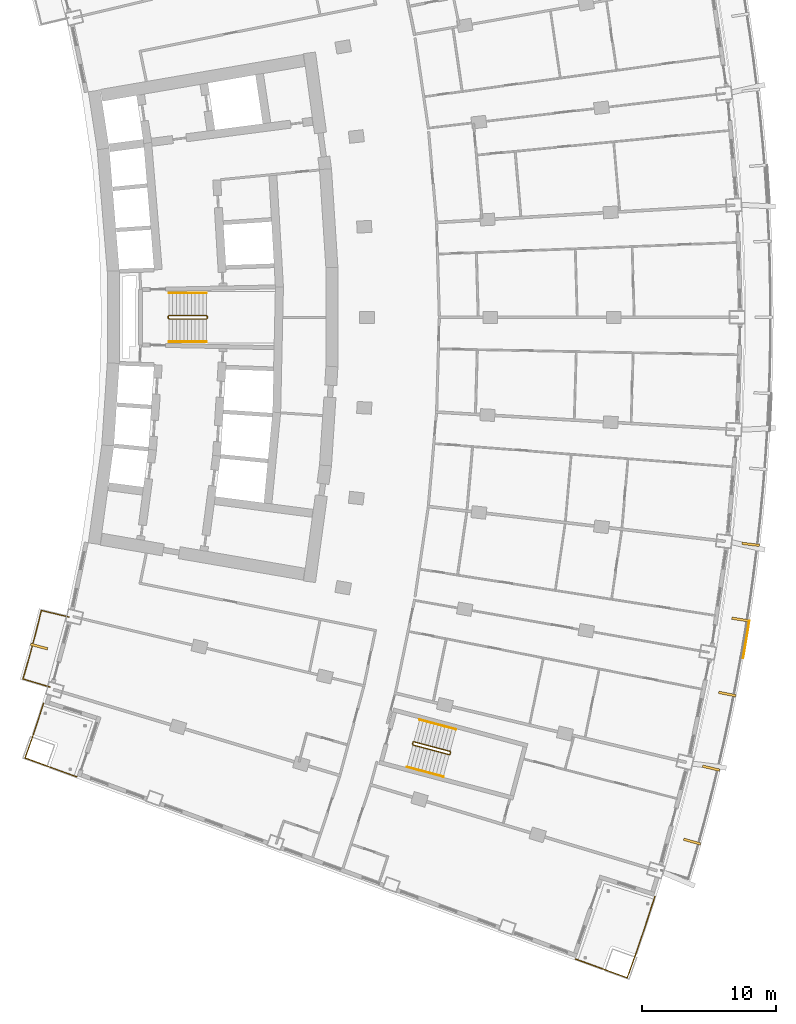
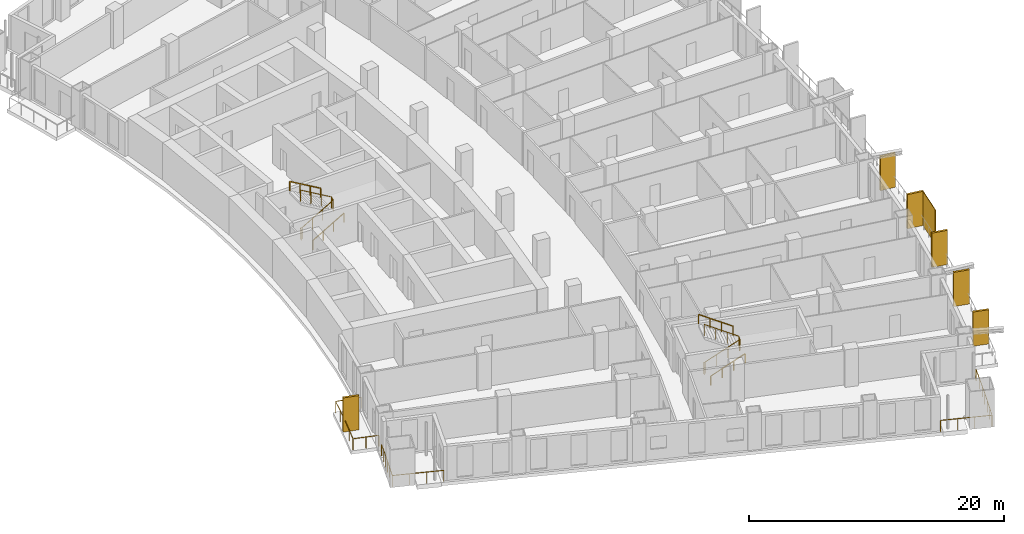
# One storey, part 23 of 25: 9 railings, 7 shading devices.
"""IFC4 building model written with IfcOpenShell, lengths in metres."""

import ifcopenshell
import ifcopenshell.guid

model = None  # the IFC model being written
_history = None  # IfcOwnerHistory: only IFC2X3 demands one
_inside = {}  # id of a spatial element -> (the spatial element, [elements in it])
_under = {}  # id of a project, library or spatial element -> (it, [spatial elements below it])
_declared = {}  # id of a project -> (the project, [libraries it declares])
_typed = {}  # id of a type object -> (the type object, [elements of that type])
_made_of = {}  # id of a material, layer set ... -> (it, [elements and type objects made of it])


def new_model(schema):
    """Start an empty IFC model of exactly this schema.

    Asked for "IFC4X3", IfcOpenShell would pick the latest addendum, in which some entities
    have other attributes; the version numbers below select the first issue.
    IFC2X3 requires an IfcOwnerHistory on every rooted entity: one is made here for all.
    """
    global model, _history
    if schema == "IFC4X3":
        model = ifcopenshell.file(schema_version=(4, 3, 0, 0))
    else:
        model = ifcopenshell.file(schema=schema)
    _inside.clear()
    _under.clear()
    _declared.clear()
    _typed.clear()
    _made_of.clear()
    _history = None
    if model.schema == "IFC2X3":
        org = make("IfcOrganization", Name="unknown")
        user = make(
            "IfcPersonAndOrganization",
            ThePerson=make("IfcPerson", FamilyName="unknown"),
            TheOrganization=org,
        )
        app = make(
            "IfcApplication",
            ApplicationDeveloper=org,
            Version="unknown",
            ApplicationFullName="unknown",
            ApplicationIdentifier="unknown",
        )
        _history = make(
            "IfcOwnerHistory",
            OwningUser=user,
            OwningApplication=app,
            ChangeAction="ADDED",
            CreationDate=0,
        )
    return model


def make(cls, **values):
    """One entity of the class cls with the attributes given. An attribute that is None is left unset."""
    return model.create_entity(
        cls, **{name: value for name, value in values.items() if value is not None}
    )


def rooted(cls, **values):
    """An entity with a GlobalId (a new one), such as an element, a storey or a relation."""
    return make(cls, GlobalId=ifcopenshell.guid.new(), OwnerHistory=_history, **values)


def si_unit(unit_type, name, prefix=None):
    """IfcSIUnit, for example si_unit("LENGTHUNIT", "METRE", prefix="MILLI")."""
    return make("IfcSIUnit", UnitType=unit_type, Prefix=prefix, Name=name)


def assignment(units):
    """IfcUnitAssignment: the units of a project."""
    return None if units is None else make("IfcUnitAssignment", Units=units)


def point(xyz):
    """IfcCartesianPoint."""
    return None if xyz is None else make("IfcCartesianPoint", Coordinates=xyz)


def direction(xyz):
    """IfcDirection."""
    return None if xyz is None else make("IfcDirection", DirectionRatios=xyz)


def frame(location, z_axis=None, x_axis=None):
    """IfcAxis2Placement3D, a coordinate frame: its origin and axes. An axis left out is left unset."""
    return make(
        "IfcAxis2Placement3D",
        Location=point(location),
        Axis=direction(z_axis),
        RefDirection=direction(x_axis),
    )


def frame_2d(location, x_axis=None):
    """IfcAxis2Placement2D, a coordinate frame in the plane: its origin and x axis."""
    return make(
        "IfcAxis2Placement2D", Location=point(location), RefDirection=direction(x_axis)
    )


def origin():
    """The frame at (0, 0, 0) with its axes left unset."""
    return frame((0.0, 0.0, 0.0))


def origin_with_axes():
    """The frame at (0, 0, 0) with the z axis (0, 0, 1) and the x axis (1, 0, 0) written out."""
    return frame((0.0, 0.0, 0.0), z_axis=(0.0, 0.0, 1.0), x_axis=(1.0, 0.0, 0.0))


def origin_2d():
    """The frame at (0, 0) in the plane with its x axis left unset."""
    return frame_2d((0.0, 0.0))


def place(relative_to, where):
    """IfcLocalPlacement: puts the frame where relative to a parent placement (None: the world)."""
    return make(
        "IfcLocalPlacement", PlacementRelTo=relative_to, RelativePlacement=where
    )


def context(
    kind, dimensions, precision=None, world=None, true_north=None, identifier=None
):
    """IfcGeometricRepresentationContext, for example the 3D "Model" context."""
    return make(
        "IfcGeometricRepresentationContext",
        ContextIdentifier=identifier,
        ContextType=kind,
        CoordinateSpaceDimension=dimensions,
        Precision=precision,
        WorldCoordinateSystem=world,
        TrueNorth=true_north,
    )


def subcontext(parent, identifier, kind, view, scale=None):
    """IfcGeometricRepresentationSubContext, for example "Body" below "Model"."""
    return make(
        "IfcGeometricRepresentationSubContext",
        ContextIdentifier=identifier,
        ContextType=kind,
        ParentContext=parent,
        TargetScale=scale,
        TargetView=view,
    )


def project(units=None, contexts=None):
    """IfcProject with its units and contexts."""
    return rooted(
        "IfcProject",
        Name="project",
        RepresentationContexts=contexts,
        UnitsInContext=assignment(units),
    )


def spatial(cls, under=None, at=None, **own):
    """A site, building, storey or space (cls), placed at a placement, below another one or the project."""
    s = rooted(cls, ObjectPlacement=at, **own)
    if under is not None:
        _under.setdefault(under.id(), (under, []))[1].append(s)
    return s


def profile(cls, at=None, kind="AREA", **sizes):
    """A parametric profile (cls). Its sizes go by their IFC names, for example OverallWidth=200.0."""
    return make(cls, ProfileType=kind, Position=at, **sizes)


def rectangle(**sizes):
    """IfcRectangleProfileDef."""
    return profile("IfcRectangleProfileDef", **sizes)


def extrude(swept, where, along, depth):
    """IfcExtrudedAreaSolid: the profile swept, set in the frame where, extruded along a direction by depth."""
    return make(
        "IfcExtrudedAreaSolid",
        SweptArea=swept,
        Position=where,
        ExtrudedDirection=direction(along),
        Depth=depth,
    )


def shape(context_of_items, identifier, shape_type, items):
    """IfcShapeRepresentation: the items that make up one representation, for example the "Body"."""
    return make(
        "IfcShapeRepresentation",
        ContextOfItems=context_of_items,
        RepresentationIdentifier=identifier,
        RepresentationType=shape_type,
        Items=items,
    )


def material(Name=None, Category=None):
    """IfcMaterial."""
    return make("IfcMaterial", Name=Name, Category=Category)


def layer(
    of_material, thickness, ventilated=None, Name=None, Category=None, Priority=None
):
    """IfcMaterialLayer: one layer of a wall or slab, of a material (None: an air gap)."""
    return make(
        "IfcMaterialLayer",
        Material=of_material,
        LayerThickness=thickness,
        IsVentilated=ventilated,
        Name=Name,
        Category=Category,
        Priority=Priority,
    )


def layer_set(layers, Name=None):
    """IfcMaterialLayerSet."""
    return make("IfcMaterialLayerSet", MaterialLayers=layers, LayerSetName=Name)


def made_of(thing, what):
    """Note that an element or type object is made of a material, layer set ...; save() writes the relation."""
    if what is not None:
        _made_of.setdefault(what.id(), (what, []))[1].append(thing)
    return thing


def type_object(cls, material=None, **own):
    """A type object (cls), such as IfcWallType, which elements share."""
    return made_of(rooted(cls, **own), material)


def element(
    cls,
    number,
    at=None,
    inside=None,
    cuts=None,
    type_object=None,
    material=None,
    context=None,
    identifier="Body",
    shape_type=None,
    held_by="IfcProductDefinitionShape",
    body=None,
    shapes=None,
    **own,
):
    """One element of the class cls, such as IfcWall. Its Tag is "e" and its number.

    at: its placement. inside: the storey or other place that contains it. cuts: it is an
    opening in that element (IfcRelVoidsElement). A single representation is given by context,
    identifier, shape_type and body (its items); several are given by shapes. held_by: the class
    of the entity that holds the representations. save() writes the other relations.
    """
    e = rooted(cls, Tag="e%d" % number, ObjectPlacement=at, **own)
    if body is not None:
        shapes = [shape(context, identifier, shape_type, body)]
    if shapes is not None:
        e.Representation = make(held_by, Representations=shapes)
    if inside is not None:
        _inside.setdefault(inside.id(), (inside, []))[1].append(e)
    if cuts is not None:
        rooted(
            "IfcRelVoidsElement", RelatingBuildingElement=cuts, RelatedOpeningElement=e
        )
    if type_object is not None:
        _typed.setdefault(type_object.id(), (type_object, []))[1].append(e)
    return made_of(e, material)


def aggregate(whole, parts):
    """IfcRelAggregates: a whole, such as a stair, and the parts it consists of."""
    return rooted("IfcRelAggregates", RelatingObject=whole, RelatedObjects=parts)


def save(model, path):
    """Write the relations noted so far, then the file.

    IfcRelAggregates (storeys below a building ...), IfcRelContainedInSpatialStructure (elements
    in a storey), IfcRelDefinesByType, IfcRelAssociatesMaterial and IfcRelDeclares: one each for
    every whole, place, type object, material and project.
    """
    for whole, parts in _under.values():
        aggregate(whole, parts)
    for where, things in _inside.values():
        rooted(
            "IfcRelContainedInSpatialStructure",
            RelatedElements=things,
            RelatingStructure=where,
        )
    for kind, things in _typed.values():
        rooted("IfcRelDefinesByType", RelatedObjects=things, RelatingType=kind)
    for what, things in _made_of.values():
        rooted("IfcRelAssociatesMaterial", RelatedObjects=things, RelatingMaterial=what)
    for by, libraries in _declared.values():
        rooted("IfcRelDeclares", RelatingContext=by, RelatedDefinitions=libraries)
    model.write(path)


model = new_model("IFC4")

# Units and contexts
model_context = context("Model", 3, precision=1e-05, world=origin(), true_north=direction((0.0, 1.0)))
body_context = subcontext(model_context, "Body", "Model", "MODEL_VIEW")
ifc_project = project(units=[si_unit("LENGTHUNIT", "METRE"), si_unit("AREAUNIT", "SQUARE_METRE"), si_unit("VOLUMEUNIT", "CUBIC_METRE"), si_unit("PLANEANGLEUNIT", "RADIAN"), si_unit("MASSUNIT", "GRAM", prefix="KILO")], contexts=[model_context])

# Site, building, storey
site_placement = place(None, origin())
site = spatial("IfcSite", under=ifc_project, at=site_placement, CompositionType="ELEMENT")
building_placement = place(site_placement, origin())
building = spatial("IfcBuilding", under=site, at=building_placement, Name="Alderwake Tower", CompositionType="ELEMENT")
storey_placement = place(building_placement, frame((0.0, 0.0, 35.60009765625)))
storey = spatial("IfcBuildingStorey", under=building, at=storey_placement, Name="L07", CompositionType="ELEMENT", Elevation=35.60009765625)

# Railings
ifc_material_1 = material(Name="Stainless steel 316 rail and posts", Category="steel")
railing_type_1 = type_object("IfcRailingType", Name="Balcony guard 1100", PredefinedType="GUARDRAIL", material=ifc_material_1)
railing_1_placement = place(storey_placement, frame((12.16650390625, 33.435791015625, 0.0)))
element("IfcRailing", 1, at=railing_1_placement, inside=storey, type_object=railing_type_1, Name="Guard BR02", PredefinedType="GUARDRAIL", context=body_context, shape_type="SweptSolid", body=[
    extrude(rectangle(XDim=0.048095703125, YDim=0.048095703125, at=origin_2d()), frame((0.0, 0.0, 1.076171875), z_axis=(-0.958091458885, 0.286462486918, 0.0), x_axis=(-0.286462486918, -0.958091458885, 0.0)), (0.0, 0.0, 1.0), 2.099853515625),
    extrude(rectangle(XDim=0.048095703125, YDim=0.048095703125, at=origin_2d()), frame((-2.011962890625, 0.6015625, 1.076171875), z_axis=(0.279963157487, 0.960010744966, 0.0), x_axis=(-0.960010744966, 0.279963157487, 0.0)), (0.0, 0.0, 1.0), 1.272216796875),
    extrude(rectangle(XDim=0.048095703125, YDim=0.048095703125, at=origin_2d()), frame((-1.65576171875, 1.822998046875, 1.076171875), z_axis=(0.266487604617, 0.963838345671, 0.0), x_axis=(-0.963838345671, 0.266487604617, 0.0)), (0.0, 0.0, 1.0), 1.372314453125),
    extrude(rectangle(XDim=0.048095703125, YDim=0.048095703125, at=origin_2d()), frame((-1.2900390625, 3.145751953125, 1.076171875), z_axis=(0.252487086228, 0.967600264204, 0.0), x_axis=(-0.967600264204, 0.252487086228, 0.0)), (0.0, 0.0, 1.0), 1.3720703125),
    extrude(rectangle(XDim=0.048095703125, YDim=0.048095703125, at=origin_2d()), frame((-0.943603515625, 4.473388671875, 1.076171875), z_axis=(0.238877101641, 0.971049808358, 0.0), x_axis=(-0.971049808358, 0.238877101641, 0.0)), (0.0, 0.0, 1.0), 1.2724609375),
    extrude(rectangle(XDim=0.048095703125, YDim=0.048095703125, at=origin_2d()), frame((-0.6396484375, 5.708984375, 1.076171875), z_axis=(0.972646310656, -0.232291098337, 0.0), x_axis=(0.232291098337, 0.972646310656, 0.0)), (0.0, 0.0, 1.0), 2.099853515625),
    extrude(rectangle(XDim=0.0419921875, YDim=0.0419921875, at=origin_2d()), frame((0.0, 0.0, 0.0), z_axis=(0.0, 0.0, 1.0), x_axis=(-0.958091458885, 0.286462486918, 0.0)), (0.0, 0.0, 1.0), 1.052001953125),
    extrude(rectangle(XDim=0.0419921875, YDim=0.0419921875, at=origin_2d()), frame((-1.005859375, 0.30078125, 0.0), z_axis=(0.0, 0.0, 1.0), x_axis=(-0.958091458885, 0.286462486918, 0.0)), (0.0, 0.0, 1.0), 1.052001953125),
    extrude(rectangle(XDim=0.0419921875, YDim=0.0419921875, at=origin_2d()), frame((-2.011962890625, 0.6015625, 0.0), z_axis=(0.0, 0.0, 1.0), x_axis=(0.279963157487, 0.960010744966, 0.0)), (0.0, 0.0, 1.0), 1.052001953125),
    extrude(rectangle(XDim=0.0419921875, YDim=0.0419921875, at=origin_2d()), frame((-1.65576171875, 1.822998046875, 0.0), z_axis=(0.0, 0.0, 1.0), x_axis=(0.266487604617, 0.963838345671, 0.0)), (0.0, 0.0, 1.0), 1.052001953125),
    extrude(rectangle(XDim=0.0419921875, YDim=0.0419921875, at=origin_2d()), frame((-1.2900390625, 3.145751953125, 0.0), z_axis=(0.0, 0.0, 1.0), x_axis=(0.252487086228, 0.967600264204, 0.0)), (0.0, 0.0, 1.0), 1.052001953125),
    extrude(rectangle(XDim=0.0419921875, YDim=0.0419921875, at=origin_2d()), frame((-0.943603515625, 4.473388671875, 0.0), z_axis=(0.0, 0.0, 1.0), x_axis=(0.238877101641, 0.971049808358, 0.0)), (0.0, 0.0, 1.0), 1.052001953125),
    extrude(rectangle(XDim=0.0419921875, YDim=0.0419921875, at=origin_2d()), frame((-0.6396484375, 5.708984375, 0.0), z_axis=(0.0, 0.0, 1.0), x_axis=(0.972646310656, -0.232291098337, 0.0)), (0.0, 0.0, 1.0), 1.052001953125),
    extrude(rectangle(XDim=0.0419921875, YDim=0.0419921875, at=origin_2d()), frame((0.381591796875, 5.465087890625, 0.0), z_axis=(0.0, 0.0, 1.0), x_axis=(0.972646310656, -0.232291098337, 0.0)), (0.0, 0.0, 1.0), 1.052001953125),
    extrude(rectangle(XDim=0.0419921875, YDim=0.0419921875, at=origin_2d()), frame((1.40283203125, 5.22119140625, 0.0), z_axis=(0.0, 0.0, 1.0), x_axis=(0.972646310656, -0.232291098337, 0.0)), (0.0, 0.0, 1.0), 1.052001953125),
])
railing_2_placement = place(storey_placement, frame((57.2646484375, 17.806884765625, 0.0)))
element("IfcRailing", 2, at=railing_2_placement, inside=storey, type_object=railing_type_1, Name="Guard terrace FS", PredefinedType="GUARDRAIL", context=body_context, shape_type="SweptSolid", body=[
    extrude(rectangle(XDim=0.048095703125, YDim=0.048095703125, at=origin_2d()), frame((0.0, 0.0, 1.076171875), z_axis=(-0.307834426273, -0.951439943455, 0.0), x_axis=(0.951439943455, -0.307834426273, 0.0)), (0.0, 0.0, 1.0), 2.29833984375),
    extrude(rectangle(XDim=0.048095703125, YDim=0.048095703125, at=origin_2d()), frame((-0.70751953125, -2.186767578125, 1.076171875), z_axis=(-0.322259361339, -0.946651416324, 0.0), x_axis=(0.946651416324, -0.322259361339, 0.0)), (0.0, 0.0, 1.0), 2.0986328125),
    extrude(rectangle(XDim=0.048095703125, YDim=0.048095703125, at=origin_2d()), frame((-1.3837890625, -4.17333984375, 1.076171875), z_axis=(-0.335694014626, -0.941971086894, 0.0), x_axis=(0.941971086894, -0.335694014626, 0.0)), (0.0, 0.0, 1.0), 1.99853515625),
    extrude(rectangle(XDim=0.048095703125, YDim=0.048095703125, at=origin_2d()), frame((-2.0546875, -6.055908203125, 1.076171875), z_axis=(-0.939598546558, 0.342278499627, 0.0), x_axis=(-0.342278499627, -0.939598546558, 0.0)), (0.0, 0.0, 1.0), 4.099853515625),
    extrude(rectangle(XDim=0.0419921875, YDim=0.0419921875, at=origin_2d()), frame((0.0, 0.0, 0.0), z_axis=(0.0, 0.0, 1.0), x_axis=(-0.307834426273, -0.951439943455, 0.0)), (0.0, 0.0, 1.0), 1.052001953125),
    extrude(rectangle(XDim=0.0419921875, YDim=0.0419921875, at=origin_2d()), frame((-0.353759765625, -1.09326171875, 0.0), z_axis=(0.0, 0.0, 1.0), x_axis=(-0.307834426273, -0.951439943455, 0.0)), (0.0, 0.0, 1.0), 1.052001953125),
    extrude(rectangle(XDim=0.0419921875, YDim=0.0419921875, at=origin_2d()), frame((-0.70751953125, -2.186767578125, 0.0), z_axis=(0.0, 0.0, 1.0), x_axis=(-0.322259361339, -0.946651416324, 0.0)), (0.0, 0.0, 1.0), 1.052001953125),
    extrude(rectangle(XDim=0.0419921875, YDim=0.0419921875, at=origin_2d()), frame((-1.045654296875, -3.18017578125, 0.0), z_axis=(0.0, 0.0, 1.0), x_axis=(-0.322259361339, -0.946651416324, 0.0)), (0.0, 0.0, 1.0), 1.052001953125),
    extrude(rectangle(XDim=0.0419921875, YDim=0.0419921875, at=origin_2d()), frame((-1.3837890625, -4.17333984375, 0.0), z_axis=(0.0, 0.0, 1.0), x_axis=(-0.335694014626, -0.941971086894, 0.0)), (0.0, 0.0, 1.0), 1.052001953125),
    extrude(rectangle(XDim=0.0419921875, YDim=0.0419921875, at=origin_2d()), frame((-1.71923828125, -5.11474609375, 0.0), z_axis=(0.0, 0.0, 1.0), x_axis=(-0.335694014626, -0.941971086894, 0.0)), (0.0, 0.0, 1.0), 1.052001953125),
    extrude(rectangle(XDim=0.0419921875, YDim=0.0419921875, at=origin_2d()), frame((-2.0546875, -6.055908203125, 0.0), z_axis=(0.0, 0.0, 1.0), x_axis=(-0.939598546558, 0.342278499627, 0.0)), (0.0, 0.0, 1.0), 1.052001953125),
    extrude(rectangle(XDim=0.0419921875, YDim=0.0419921875, at=origin_2d()), frame((-3.3388671875, -5.588134765625, 0.0), z_axis=(0.0, 0.0, 1.0), x_axis=(-0.939598546558, 0.342278499627, 0.0)), (0.0, 0.0, 1.0), 1.052001953125),
    extrude(rectangle(XDim=0.0419921875, YDim=0.0419921875, at=origin_2d()), frame((-4.622802734375, -5.120361328125, 0.0), z_axis=(0.0, 0.0, 1.0), x_axis=(-0.939598546558, 0.342278499627, 0.0)), (0.0, 0.0, 1.0), 1.052001953125),
    extrude(rectangle(XDim=0.0419921875, YDim=0.0419921875, at=origin_2d()), frame((-5.906982421875, -4.652587890625, 0.0), z_axis=(0.0, 0.0, 1.0), x_axis=(-0.939598546558, 0.342278499627, 0.0)), (0.0, 0.0, 1.0), 1.052001953125),
])
railing_3_placement = place(storey_placement, frame((11.688720703125, 32.218017578125, 0.0)))
element("IfcRailing", 3, at=railing_3_placement, inside=storey, type_object=railing_type_1, Name="Guard terrace RS", PredefinedType="GUARDRAIL", context=body_context, shape_type="SweptSolid", body=[
    extrude(rectangle(XDim=0.048095703125, YDim=0.048095703125, at=origin_2d()), frame((0.0, 0.0, 1.076171875), z_axis=(-0.307479326145, -0.951554761426, 0.0), x_axis=(0.951554761426, -0.307479326145, 0.0)), (0.0, 0.0, 1.0), 1.6015625),
    extrude(rectangle(XDim=0.048095703125, YDim=0.048095703125, at=origin_2d()), frame((-0.492431640625, -1.52392578125, 1.076171875), z_axis=(-0.322283727344, -0.946643121292, 0.0), x_axis=(0.946643121292, -0.322283727344, 0.0)), (0.0, 0.0, 1.0), 1.4013671875),
    extrude(rectangle(XDim=0.048095703125, YDim=0.048095703125, at=origin_2d()), frame((-0.944091796875, -2.8505859375, 1.076171875), z_axis=(-0.335468607403, -0.942051385778, 0.0), x_axis=(0.942051385778, -0.335468607403, 0.0)), (0.0, 0.0, 1.0), 1.30126953125),
    extrude(rectangle(XDim=0.048095703125, YDim=0.048095703125, at=origin_2d()), frame((-1.380615234375, -4.076416015625, 1.076171875), z_axis=(0.939708203232, -0.341977327873, 0.0), x_axis=(0.341977327873, 0.939708203232, 0.0)), (0.0, 0.0, 1.0), 4.10009765625),
    extrude(rectangle(XDim=0.0419921875, YDim=0.0419921875, at=origin_2d()), frame((0.0, 0.0, 0.0), z_axis=(0.0, 0.0, 1.0), x_axis=(-0.307479326145, -0.951554761426, 0.0)), (0.0, 0.0, 1.0), 1.052001953125),
    extrude(rectangle(XDim=0.0419921875, YDim=0.0419921875, at=origin_2d()), frame((-0.24609375, -0.761962890625, 0.0), z_axis=(0.0, 0.0, 1.0), x_axis=(-0.307479326145, -0.951554761426, 0.0)), (0.0, 0.0, 1.0), 1.052001953125),
    extrude(rectangle(XDim=0.0419921875, YDim=0.0419921875, at=origin_2d()), frame((-0.492431640625, -1.52392578125, 0.0), z_axis=(0.0, 0.0, 1.0), x_axis=(-0.322283727344, -0.946643121292, 0.0)), (0.0, 0.0, 1.0), 1.052001953125),
    extrude(rectangle(XDim=0.0419921875, YDim=0.0419921875, at=origin_2d()), frame((-0.71826171875, -2.187255859375, 0.0), z_axis=(0.0, 0.0, 1.0), x_axis=(-0.322283727344, -0.946643121292, 0.0)), (0.0, 0.0, 1.0), 1.052001953125),
    extrude(rectangle(XDim=0.0419921875, YDim=0.0419921875, at=origin_2d()), frame((-0.944091796875, -2.8505859375, 0.0), z_axis=(0.0, 0.0, 1.0), x_axis=(-0.335468607403, -0.942051385778, 0.0)), (0.0, 0.0, 1.0), 1.052001953125),
    extrude(rectangle(XDim=0.0419921875, YDim=0.0419921875, at=origin_2d()), frame((-1.380615234375, -4.076416015625, 0.0), z_axis=(0.0, 0.0, 1.0), x_axis=(0.939708203232, -0.341977327873, 0.0)), (0.0, 0.0, 1.0), 1.052001953125),
    extrude(rectangle(XDim=0.0419921875, YDim=0.0419921875, at=origin_2d()), frame((-0.096435546875, -4.543701171875, 0.0), z_axis=(0.0, 0.0, 1.0), x_axis=(0.939708203232, -0.341977327873, 0.0)), (0.0, 0.0, 1.0), 1.052001953125),
    extrude(rectangle(XDim=0.0419921875, YDim=0.0419921875, at=origin_2d()), frame((1.18798828125, -5.01123046875, 0.0), z_axis=(0.0, 0.0, 1.0), x_axis=(0.939708203232, -0.341977327873, 0.0)), (0.0, 0.0, 1.0), 1.052001953125),
    extrude(rectangle(XDim=0.0419921875, YDim=0.0419921875, at=origin_2d()), frame((2.47216796875, -5.478515625, 0.0), z_axis=(0.0, 0.0, 1.0), x_axis=(0.939708203232, -0.341977327873, 0.0)), (0.0, 0.0, 1.0), 1.052001953125),
])

# Shading devices
ifc_material_2 = material(Name="Bronze anodised aluminium", Category="aluminium")
ifc_layer_1 = layer(ifc_material_2, 0.179931640625)
ifc_layer_set_1 = layer_set([ifc_layer_1], Name="Facade fin 1300")
shading_device_type_1 = type_object("IfcShadingDeviceType", Name="Facade fin 1300", PredefinedType="USERDEFINED", material=ifc_layer_set_1)
for number, where, z_axis, x_axis, name in (
    (4, (60.046630859375, 21.9091796875, 0.0), (0.0, 0.0, 1.0), (0.96318180783, -0.268850897459, 0.0), "Fin"),
    (5, (61.4609375, 27.385009765625, 0.0), (0.0, 0.0, 1.0), (0.972908790564, -0.231189284448, 0.0), "Fin"),
    (6, (62.6611328125, 32.911865234375, 0.0), (0.0, 0.0, 1.0), (0.981163751315, -0.193177879441, 0.0), "Fin"),
    (7, (63.643310546875, 38.466796875, 0.0), (0.0, 0.0, 1.0), (0.987918787879, -0.154972476771, 0.0), "Fin"),
    (8, (64.410888671875, 44.0703125, 0.0), (0.0, 0.0, 1.0), (0.993198315083, -0.116434990084, 0.0), "Fin"),
    (9, (11.359375, 36.45166015625, 0.0), (0.0, 0.0, 1.0), (0.965744448231, -0.259495010957, 0.0), "Fin"),
):
    element("IfcShadingDevice", number, at=place(storey_placement, frame(where, z_axis=z_axis, x_axis=x_axis)), inside=storey, type_object=shading_device_type_1, Name=name, ObjectType="FIN", PredefinedType="USERDEFINED", context=body_context, shape_type="SweptSolid", body=[
        extrude(rectangle(XDim=1.300048828125, YDim=0.179931640625, at=origin_2d()), origin(), (0.0, 0.0, 1.0), 3.280029296875),
    ])
ifc_material_3 = material(Name="Perforated bronze anodised aluminium", Category="aluminium")
ifc_layer_2 = layer(ifc_material_3, 0.050048828125)
ifc_layer_set_2 = layer_set([ifc_layer_2], Name="Perforated screen panel")
shading_device_type_2 = type_object("IfcShadingDeviceType", Name="Perforated screen panel", PredefinedType="USERDEFINED", material=ifc_layer_set_2)
shading_device_placement = place(storey_placement, frame((64.0771484375, 36.964599609375, 0.0), z_axis=(0.0, 0.0, 1.0), x_axis=(0.986369013299, -0.164548380739, 0.0)))
element("IfcShadingDevice", 10, at=shading_device_placement, inside=storey, type_object=shading_device_type_2, Name="Screen panel", ObjectType="SCREEN", PredefinedType="USERDEFINED", context=body_context, shape_type="SweptSolid", body=[
    extrude(rectangle(XDim=0.050048828125, YDim=2.833740234375, at=origin_2d()), origin(), (0.0, 0.0, 1.0), 3.280029296875),
])

# Railings
ifc_material_4 = material(Name="Stainless steel guard", Category="steel")
railing_type_2 = type_object("IfcRailingType", Name="Stair guard 1100", PredefinedType="GUARDRAIL", material=ifc_material_4)
railing_4_placement = place(storey_placement, frame((20.989990234375, 60.925048828125, 0.0)))
element("IfcRailing", 11, at=railing_4_placement, inside=storey, type_object=railing_type_2, Name="L07 ST-B stair guard 1", PredefinedType="GUARDRAIL", context=body_context, shape_type="SweptSolid", body=[
    extrude(rectangle(XDim=0.048095703125, YDim=0.048095703125, at=origin_2d()), frame((0.0, 0.0, 1.076171875), z_axis=(0.0, 1.0, 0.0), x_axis=(-1.0, 0.0, 0.0)), (0.0, 0.0, 1.0), 0.14990234375),
    extrude(rectangle(XDim=0.048095703125, YDim=0.048095703125, at=origin_2d()), frame((0.0, 0.14990234375, 1.076171875), z_axis=(0.190199549216, -0.759870394187, 0.621627795), x_axis=(0.970072785993, 0.242814311512, 0.0)), (0.0, 0.0, 1.0), 0.26318359375),
    extrude(rectangle(XDim=0.048095703125, YDim=0.048095703125, at=origin_2d()), frame((0.050048828125, -0.050048828125, 1.23974609375), z_axis=(0.863393664356, 0.0, 0.504530851732), x_axis=(0.0, 1.0, 0.0)), (0.0, 0.0, 1.0), 3.2431640625),
    extrude(rectangle(XDim=0.048095703125, YDim=0.048095703125, at=origin_2d()), frame((2.85009765625, -0.050048828125, 2.8759765625), z_axis=(0.705375805398, 0.708833529934, 0.0), x_axis=(-0.708833529934, 0.705375805398, 0.0)), (0.0, 0.0, 1.0), 0.070556640625),
    extrude(rectangle(XDim=0.048095703125, YDim=0.048095703125, at=origin_2d()), frame((2.89990234375, 0.0, 2.8759765625), z_axis=(0.0, 1.0, 0.0), x_axis=(-1.0, 0.0, 0.0)), (0.0, 0.0, 1.0), 0.14990234375),
    extrude(rectangle(XDim=0.048095703125, YDim=0.048095703125, at=origin_2d()), frame((2.89990234375, 0.14990234375, 2.8759765625), z_axis=(-0.279194930351, 0.280563532951, 0.91833234444), x_axis=(-0.708833529934, -0.705375805398, 0.0)), (0.0, 0.0, 1.0), 0.178466796875),
    extrude(rectangle(XDim=0.048095703125, YDim=0.048095703125, at=origin_2d()), frame((2.85009765625, 0.199951171875, 3.03955078125), z_axis=(-0.863393664356, 0.0, 0.504530851732), x_axis=(0.0, -1.0, 0.0)), (0.0, 0.0, 1.0), 3.2431640625),
    extrude(rectangle(XDim=0.0419921875, YDim=0.0419921875, at=origin_2d()), frame((0.0, 0.0, 0.0), z_axis=(0.0, 0.0, 1.0), x_axis=(0.0, 1.0, 0.0)), (0.0, 0.0, 1.0), 1.052001953125),
    extrude(rectangle(XDim=0.0419921875, YDim=0.0419921875, at=origin_2d()), frame((0.0, 0.14990234375, 0.0), z_axis=(0.0, 0.0, 1.0), x_axis=(0.242814311512, -0.970072785993, 0.0)), (0.0, 0.0, 1.0), 1.052001953125),
    extrude(rectangle(XDim=0.0419921875, YDim=0.0419921875, at=origin_2d()), frame((0.050048828125, -0.050048828125, 0.16357421875), z_axis=(0.0, 0.0, 1.0), x_axis=(1.0, 0.0, 0.0)), (0.0, 0.0, 1.0), 1.052001953125),
    extrude(rectangle(XDim=0.0419921875, YDim=0.0419921875, at=origin_2d()), frame((0.9833984375, -0.050048828125, 0.708984375), z_axis=(0.0, 0.0, 1.0), x_axis=(1.0, 0.0, 0.0)), (0.0, 0.0, 1.0), 1.052001953125),
    extrude(rectangle(XDim=0.0419921875, YDim=0.0419921875, at=origin_2d()), frame((1.916748046875, -0.050048828125, 1.25439453125), z_axis=(0.0, 0.0, 1.0), x_axis=(1.0, 0.0, 0.0)), (0.0, 0.0, 1.0), 1.052001953125),
    extrude(rectangle(XDim=0.0419921875, YDim=0.0419921875, at=origin_2d()), frame((2.85009765625, -0.050048828125, 1.7998046875), z_axis=(0.0, 0.0, 1.0), x_axis=(0.705375805398, 0.708833529934, 0.0)), (0.0, 0.0, 1.0), 1.052001953125),
    extrude(rectangle(XDim=0.0419921875, YDim=0.0419921875, at=origin_2d()), frame((2.89990234375, 0.0, 1.7998046875), z_axis=(0.0, 0.0, 1.0), x_axis=(0.0, 1.0, 0.0)), (0.0, 0.0, 1.0), 1.052001953125),
    extrude(rectangle(XDim=0.0419921875, YDim=0.0419921875, at=origin_2d()), frame((2.89990234375, 0.14990234375, 1.7998046875), z_axis=(0.0, 0.0, 1.0), x_axis=(-0.705375805398, 0.708833529934, 0.0)), (0.0, 0.0, 1.0), 1.052001953125),
    extrude(rectangle(XDim=0.0419921875, YDim=0.0419921875, at=origin_2d()), frame((2.85009765625, 0.199951171875, 1.963623046875), z_axis=(0.0, 0.0, 1.0), x_axis=(-1.0, 0.0, 0.0)), (0.0, 0.0, 1.0), 1.052001953125),
    extrude(rectangle(XDim=0.0419921875, YDim=0.0419921875, at=origin_2d()), frame((1.916748046875, 0.199951171875, 2.509033203125), z_axis=(0.0, 0.0, 1.0), x_axis=(-1.0, 0.0, 0.0)), (0.0, 0.0, 1.0), 1.052001953125),
    extrude(rectangle(XDim=0.0419921875, YDim=0.0419921875, at=origin_2d()), frame((0.9833984375, 0.199951171875, 3.054443359375), z_axis=(0.0, 0.0, 1.0), x_axis=(-1.0, 0.0, 0.0)), (0.0, 0.0, 1.0), 1.052001953125),
    extrude(rectangle(XDim=0.0419921875, YDim=0.0419921875, at=origin_2d()), frame((0.050048828125, 0.199951171875, 3.599853515625), z_axis=(0.0, 0.0, 1.0), x_axis=(-1.0, 0.0, 0.0)), (0.0, 0.0, 1.0), 1.052001953125),
])
railing_5_placement = place(storey_placement, frame((39.1943359375, 29.17431640625, 0.0)))
element("IfcRailing", 12, at=railing_5_placement, inside=storey, type_object=railing_type_2, Name="L07 ST-C stair guard 1", PredefinedType="GUARDRAIL", context=body_context, shape_type="SweptSolid", body=[
    extrude(rectangle(XDim=0.048095703125, YDim=0.048095703125, at=origin_2d()), frame((0.0, 0.0, 1.076171875), z_axis=(0.257459803502, 0.966289009345, 0.0), x_axis=(-0.966289009345, 0.257459803502, 0.0)), (0.0, 0.0, 1.0), 0.14990234375),
    extrude(rectangle(XDim=0.048095703125, YDim=0.048095703125, at=origin_2d()), frame((0.03857421875, 0.144775390625, 1.076171875), z_axis=(-0.012062893862, -0.783160186125, 0.621702991355), x_axis=(0.999881397308, -0.015401016783, 0.0)), (0.0, 0.0, 1.0), 0.26318359375),
    extrude(rectangle(XDim=0.048095703125, YDim=0.048095703125, at=origin_2d()), frame((0.035400390625, -0.061279296875, 1.23974609375), z_axis=(0.834313512087, -0.222222637163, 0.504517653885), x_axis=(0.257380452725, 0.966310148221, 0.0)), (0.0, 0.0, 1.0), 3.2431640625),
    extrude(rectangle(XDim=0.048095703125, YDim=0.048095703125, at=origin_2d()), frame((2.7412109375, -0.781982421875, 2.8759765625), z_axis=(0.865031189262, 0.501718089772, 0.0), x_axis=(-0.501718089772, 0.865031189262, 0.0)), (0.0, 0.0, 1.0), 0.070556640625),
    extrude(rectangle(XDim=0.048095703125, YDim=0.048095703125, at=origin_2d()), frame((2.80224609375, -0.74658203125, 2.8759765625), z_axis=(0.257055032184, 0.966396766566, 0.0), x_axis=(-0.966396766566, 0.257055032184, 0.0)), (0.0, 0.0, 1.0), 0.150146484375),
    extrude(rectangle(XDim=0.048095703125, YDim=0.048095703125, at=origin_2d()), frame((2.8408203125, -0.6015625, 2.8759765625), z_axis=(-0.198375862152, 0.343395457933, 0.918001403477), x_axis=(-0.865898279276, -0.500220121494, 0.0)), (0.0, 0.0, 1.0), 0.178466796875),
    extrude(rectangle(XDim=0.048095703125, YDim=0.048095703125, at=origin_2d()), frame((2.805419921875, -0.540283203125, 3.03955078125), z_axis=(-0.834290631165, 0.222236594766, 0.504549342183), x_axis=(-0.257402139082, -0.966304371715, 0.0)), (0.0, 0.0, 1.0), 3.242919921875),
    extrude(rectangle(XDim=0.0419921875, YDim=0.0419921875, at=origin_2d()), frame((0.0, 0.0, 0.0), z_axis=(0.0, 0.0, 1.0), x_axis=(0.257459803502, 0.966289009345, 0.0)), (0.0, 0.0, 1.0), 1.052001953125),
    extrude(rectangle(XDim=0.0419921875, YDim=0.0419921875, at=origin_2d()), frame((0.03857421875, 0.144775390625, 0.0), z_axis=(0.0, 0.0, 1.0), x_axis=(-0.015401016783, -0.999881397308, 0.0)), (0.0, 0.0, 1.0), 1.052001953125),
    extrude(rectangle(XDim=0.0419921875, YDim=0.0419921875, at=origin_2d()), frame((0.035400390625, -0.061279296875, 0.16357421875), z_axis=(0.0, 0.0, 1.0), x_axis=(0.966310148221, -0.257380452725, 0.0)), (0.0, 0.0, 1.0), 1.052001953125),
    extrude(rectangle(XDim=0.0419921875, YDim=0.0419921875, at=origin_2d()), frame((0.937255859375, -0.301513671875, 0.708984375), z_axis=(0.0, 0.0, 1.0), x_axis=(0.966310148221, -0.257380452725, 0.0)), (0.0, 0.0, 1.0), 1.052001953125),
    extrude(rectangle(XDim=0.0419921875, YDim=0.0419921875, at=origin_2d()), frame((1.83935546875, -0.541748046875, 1.25439453125), z_axis=(0.0, 0.0, 1.0), x_axis=(0.966310148221, -0.257380452725, 0.0)), (0.0, 0.0, 1.0), 1.052001953125),
    extrude(rectangle(XDim=0.0419921875, YDim=0.0419921875, at=origin_2d()), frame((2.7412109375, -0.781982421875, 1.7998046875), z_axis=(0.0, 0.0, 1.0), x_axis=(0.865031189262, 0.501718089772, 0.0)), (0.0, 0.0, 1.0), 1.052001953125),
    extrude(rectangle(XDim=0.0419921875, YDim=0.0419921875, at=origin_2d()), frame((2.80224609375, -0.74658203125, 1.7998046875), z_axis=(0.0, 0.0, 1.0), x_axis=(0.257055032184, 0.966396766566, 0.0)), (0.0, 0.0, 1.0), 1.052001953125),
    extrude(rectangle(XDim=0.0419921875, YDim=0.0419921875, at=origin_2d()), frame((2.8408203125, -0.6015625, 1.7998046875), z_axis=(0.0, 0.0, 1.0), x_axis=(-0.500220121494, 0.865898279276, 0.0)), (0.0, 0.0, 1.0), 1.052001953125),
    extrude(rectangle(XDim=0.0419921875, YDim=0.0419921875, at=origin_2d()), frame((2.805419921875, -0.540283203125, 1.963623046875), z_axis=(0.0, 0.0, 1.0), x_axis=(-0.966304371715, 0.257402139082, 0.0)), (0.0, 0.0, 1.0), 1.052001953125),
    extrude(rectangle(XDim=0.0419921875, YDim=0.0419921875, at=origin_2d()), frame((1.903564453125, -0.300048828125, 2.509033203125), z_axis=(0.0, 0.0, 1.0), x_axis=(-0.966304371715, 0.257402139082, 0.0)), (0.0, 0.0, 1.0), 1.052001953125),
    extrude(rectangle(XDim=0.0419921875, YDim=0.0419921875, at=origin_2d()), frame((1.001708984375, -0.059814453125, 3.054443359375), z_axis=(0.0, 0.0, 1.0), x_axis=(-0.966304371715, 0.257402139082, 0.0)), (0.0, 0.0, 1.0), 1.052001953125),
    extrude(rectangle(XDim=0.0419921875, YDim=0.0419921875, at=origin_2d()), frame((0.099853515625, 0.180419921875, 3.599853515625), z_axis=(0.0, 0.0, 1.0), x_axis=(-0.966304371715, 0.257402139082, 0.0)), (0.0, 0.0, 1.0), 1.052001953125),
])
ifc_material_5 = material(Name="Stainless steel handrail", Category="steel")
railing_type_3 = type_object("IfcRailingType", Name="Stair handrail 900", PredefinedType="HANDRAIL", material=ifc_material_5)
railing_6_placement = place(storey_placement, frame((21.0400390625, 59.175048828125, 0.16357421875)))
element("IfcRailing", 13, at=railing_6_placement, inside=storey, type_object=railing_type_3, Name="L07 ST-B stair handrail 1", PredefinedType="HANDRAIL", context=body_context, shape_type="SweptSolid", body=[
    extrude(rectangle(XDim=0.048095703125, YDim=0.048095703125, at=origin_2d()), frame((0.0, 0.0, 0.8759765625), z_axis=(0.863393664356, 0.0, 0.504530851732), x_axis=(0.0, 1.0, 0.0)), (0.0, 0.0, 1.0), 3.2431640625),
    extrude(rectangle(XDim=0.0419921875, YDim=0.0419921875, at=origin_2d()), origin_with_axes(), (0.0, 0.0, 1.0), 0.851806640625),
    extrude(rectangle(XDim=0.0419921875, YDim=0.0419921875, at=origin_2d()), frame((0.933349609375, 0.0, 0.54541015625), z_axis=(0.0, 0.0, 1.0), x_axis=(1.0, 0.0, 0.0)), (0.0, 0.0, 1.0), 0.851806640625),
    extrude(rectangle(XDim=0.0419921875, YDim=0.0419921875, at=origin_2d()), frame((1.86669921875, 0.0, 1.0908203125), z_axis=(0.0, 0.0, 1.0), x_axis=(1.0, 0.0, 0.0)), (0.0, 0.0, 1.0), 0.851806640625),
    extrude(rectangle(XDim=0.0419921875, YDim=0.0419921875, at=origin_2d()), frame((2.800048828125, 0.0, 1.63623046875), z_axis=(0.0, 0.0, 1.0), x_axis=(1.0, 0.0, 0.0)), (0.0, 0.0, 1.0), 0.851806640625),
])
railing_7_placement = place(storey_placement, frame((23.840087890625, 62.824951171875, 1.963623046875)))
element("IfcRailing", 14, at=railing_7_placement, inside=storey, type_object=railing_type_3, Name="L07 ST-B stair handrail 2", PredefinedType="HANDRAIL", context=body_context, shape_type="SweptSolid", body=[
    extrude(rectangle(XDim=0.048095703125, YDim=0.048095703125, at=origin_2d()), frame((0.0, 0.0, 0.8759765625), z_axis=(-0.863393664356, 0.0, 0.504530851732), x_axis=(0.0, -1.0, 0.0)), (0.0, 0.0, 1.0), 3.2431640625),
    extrude(rectangle(XDim=0.0419921875, YDim=0.0419921875, at=origin_2d()), frame((0.0, 0.0, 0.0), z_axis=(0.0, 0.0, 1.0), x_axis=(-1.0, 0.0, 0.0)), (0.0, 0.0, 1.0), 0.851806640625),
    extrude(rectangle(XDim=0.0419921875, YDim=0.0419921875, at=origin_2d()), frame((-0.933349609375, 0.0, 0.54541015625), z_axis=(0.0, 0.0, 1.0), x_axis=(-1.0, 0.0, 0.0)), (0.0, 0.0, 1.0), 0.851806640625),
    extrude(rectangle(XDim=0.0419921875, YDim=0.0419921875, at=origin_2d()), frame((-1.86669921875, 0.0, 1.0908203125), z_axis=(0.0, 0.0, 1.0), x_axis=(-1.0, 0.0, 0.0)), (0.0, 0.0, 1.0), 0.851806640625),
    extrude(rectangle(XDim=0.0419921875, YDim=0.0419921875, at=origin_2d()), frame((-2.800048828125, 0.0, 1.63623046875), z_axis=(0.0, 0.0, 1.0), x_axis=(-1.0, 0.0, 0.0)), (0.0, 0.0, 1.0), 0.851806640625),
])
railing_8_placement = place(storey_placement, frame((38.792236328125, 27.47021484375, 0.16357421875)))
element("IfcRailing", 15, at=railing_8_placement, inside=storey, type_object=railing_type_3, Name="L07 ST-C stair handrail 1", PredefinedType="HANDRAIL", context=body_context, shape_type="SweptSolid", body=[
    extrude(rectangle(XDim=0.048095703125, YDim=0.048095703125, at=origin_2d()), frame((0.0, 0.0, 0.8759765625), z_axis=(0.834304587439, -0.222165027751, 0.504557782442), x_axis=(0.25732071773, 0.966326056891, 0.0)), (0.0, 0.0, 1.0), 3.242919921875),
    extrude(rectangle(XDim=0.0419921875, YDim=0.0419921875, at=origin_2d()), frame((0.0, 0.0, 0.0), z_axis=(0.0, 0.0, 1.0), x_axis=(0.966326056891, -0.25732071773, 0.0)), (0.0, 0.0, 1.0), 0.851806640625),
    extrude(rectangle(XDim=0.0419921875, YDim=0.0419921875, at=origin_2d()), frame((0.90185546875, -0.240234375, 0.54541015625), z_axis=(0.0, 0.0, 1.0), x_axis=(0.966326056891, -0.25732071773, 0.0)), (0.0, 0.0, 1.0), 0.851806640625),
    extrude(rectangle(XDim=0.0419921875, YDim=0.0419921875, at=origin_2d()), frame((1.8037109375, -0.480224609375, 1.0908203125), z_axis=(0.0, 0.0, 1.0), x_axis=(0.966326056891, -0.25732071773, 0.0)), (0.0, 0.0, 1.0), 0.851806640625),
    extrude(rectangle(XDim=0.0419921875, YDim=0.0419921875, at=origin_2d()), frame((2.70556640625, -0.720458984375, 1.63623046875), z_axis=(0.0, 0.0, 1.0), x_axis=(0.966326056891, -0.25732071773, 0.0)), (0.0, 0.0, 1.0), 0.851806640625),
])
railing_9_placement = place(storey_placement, frame((42.437255859375, 30.276611328125, 1.963623046875)))
element("IfcRailing", 16, at=railing_9_placement, inside=storey, type_object=railing_type_3, Name="L07 ST-C stair handrail 2", PredefinedType="HANDRAIL", context=body_context, shape_type="SweptSolid", body=[
    extrude(rectangle(XDim=0.048095703125, YDim=0.048095703125, at=origin_2d()), frame((0.0, 0.0, 0.8759765625), z_axis=(-0.834290631165, 0.222236594766, 0.504549342183), x_axis=(-0.257402139082, -0.966304371715, 0.0)), (0.0, 0.0, 1.0), 3.242919921875),
    extrude(rectangle(XDim=0.0419921875, YDim=0.0419921875, at=origin_2d()), frame((0.0, 0.0, 0.0), z_axis=(0.0, 0.0, 1.0), x_axis=(-0.966304371715, 0.257402139082, 0.0)), (0.0, 0.0, 1.0), 0.851806640625),
    extrude(rectangle(XDim=0.0419921875, YDim=0.0419921875, at=origin_2d()), frame((-0.90185546875, 0.240234375, 0.54541015625), z_axis=(0.0, 0.0, 1.0), x_axis=(-0.966304371715, 0.257402139082, 0.0)), (0.0, 0.0, 1.0), 0.851806640625),
    extrude(rectangle(XDim=0.0419921875, YDim=0.0419921875, at=origin_2d()), frame((-1.8037109375, 0.48046875, 1.0908203125), z_axis=(0.0, 0.0, 1.0), x_axis=(-0.966304371715, 0.257402139082, 0.0)), (0.0, 0.0, 1.0), 0.851806640625),
    extrude(rectangle(XDim=0.0419921875, YDim=0.0419921875, at=origin_2d()), frame((-2.70556640625, 0.720703125, 1.63623046875), z_axis=(0.0, 0.0, 1.0), x_axis=(-0.966304371715, 0.257402139082, 0.0)), (0.0, 0.0, 1.0), 0.851806640625),
])

save(model, "model.ifc")
